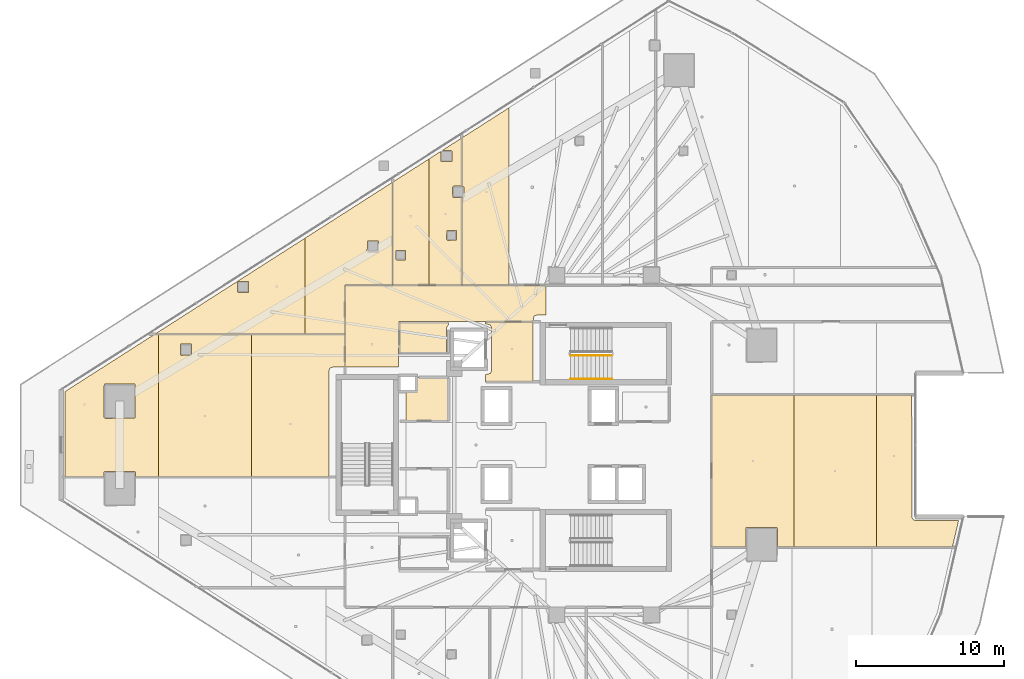
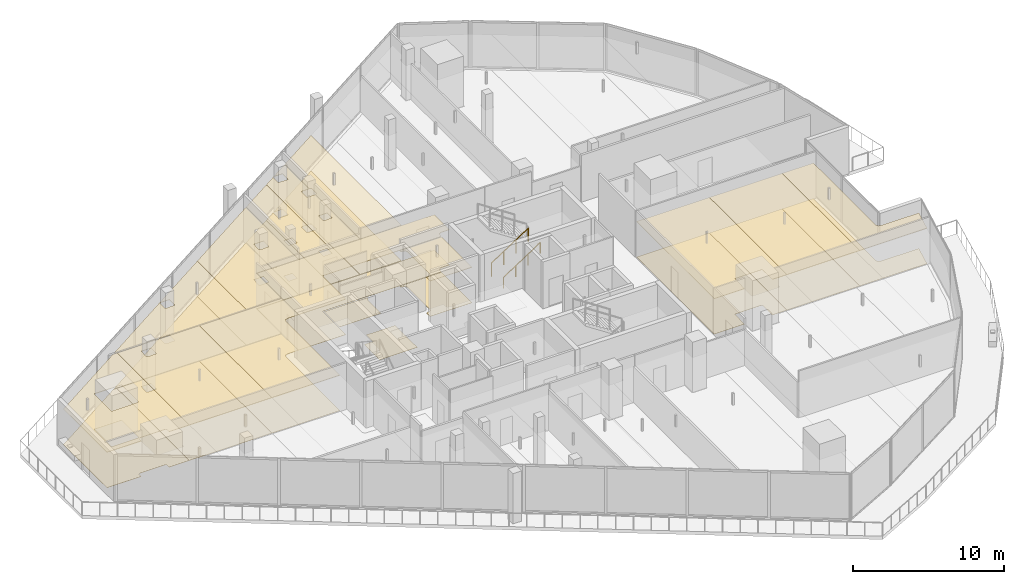
# One storey, part 36 of 38: 28 coverings, 2 railings.
"""IFC4 building model written with IfcOpenShell, lengths in metres."""

from ifc_helpers import new_model, si_unit, direction, frame, origin, origin_2d, place, context, subcontext, project, spatial, polyline, circle, outline, extrude, material, layer, layer_set, type_object, element, save


model = new_model("IFC4")

# Units and contexts
model_context = context("Model", 3, precision=1e-05, world=origin(), true_north=direction((0.0, 1.0)))
body_context = subcontext(model_context, "Body", "Model", "MODEL_VIEW")
ifc_project = project(units=[si_unit("LENGTHUNIT", "METRE"), si_unit("AREAUNIT", "SQUARE_METRE"), si_unit("VOLUMEUNIT", "CUBIC_METRE"), si_unit("PLANEANGLEUNIT", "RADIAN"), si_unit("MASSUNIT", "GRAM", prefix="KILO")], contexts=[model_context])

# Site, building, storey
site_placement = place(None, origin())
site = spatial("IfcSite", under=ifc_project, at=site_placement, CompositionType="ELEMENT")
building_placement = place(site_placement, origin())
building = spatial("IfcBuilding", under=site, at=building_placement, Name="Qorvath Tower", CompositionType="ELEMENT")
storey_placement = place(building_placement, frame((0.0, 0.0, 146.25)))
storey = spatial("IfcBuildingStorey", under=building, at=storey_placement, Name="L33", CompositionType="ELEMENT", Elevation=146.25)

# Coverings
ifc_material_1 = material(Name="Acoustic mineral fibre ceiling tile", Category="gypsum")
ifc_layer_1 = layer(ifc_material_1, 0.030029296875)
ifc_layer_set_1 = layer_set([ifc_layer_1], Name="COV-CEIL")
covering_type_1 = type_object("IfcCoveringType", Name="COV-CEIL", PredefinedType="CEILING", material=ifc_layer_set_1)
covering_1_placement = place(storey_placement, frame((0.0, 0.0, 2.85009765625)))
element("IfcCovering", 1, at=covering_1_placement, inside=storey, type_object=covering_type_1, Name="L33 Suspended Acoustic Ceiling 001", PredefinedType="CEILING", context=body_context, shape_type="SweptSolid", body=[
    extrude(outline(polyline([(-25.18994140625, 4.2548828125), (-25.18994140625, 8.294921875), (-28.375, 8.294921875), (-28.375, 8.159912109375), (-28.063232421875, 8.086669921875), (-27.989990234375, 7.909912109375), (-27.989990234375, 4.989990234375), (-28.063232421875, 4.813232421875), (-28.375, 4.739990234375), (-28.375, 4.2548828125), (-25.18994140625, 4.2548828125)])), origin(), (0.0, 0.0, 1.0), 0.030029296875),
])
covering_2_placement = place(storey_placement, frame((0.0, 0.0, 2.85009765625)))
element("IfcCovering", 2, at=covering_2_placement, inside=storey, type_object=covering_type_1, Name="L33 Suspended Acoustic Ceiling 009", PredefinedType="CEILING", context=body_context, shape_type="SweptSolid", body=[
    extrude(outline(polyline([(-24.32080078125, 8.75), (-24.32080078125, 10.7451171875), (-37.844970703125, 10.7451171875), (-37.844970703125, 5.239990234375), (-34.2509765625, 5.239990234375), (-34.219970703125, 8.324951171875), (-25.18994140625, 8.324951171875), (-25.11669921875, 8.6767578125), (-24.93994140625, 8.75), (-24.32080078125, 8.75)])), origin(), (0.0, 0.0, 1.0), 0.030029296875),
])
covering_3_placement = place(storey_placement, frame((0.0, 0.0, 2.85009765625)))
element("IfcCovering", 3, at=covering_3_placement, inside=storey, type_object=covering_type_1, Name="L33 Suspended Acoustic Ceiling 011", PredefinedType="CEILING", context=body_context, shape_type="SweptSolid", body=[
    extrude(outline(polyline([(-32.213134765625, 10.762939453125), (-32.213134765625, 19.26708984375), (-34.64501953125, 17.715087890625), (-34.64501953125, 10.762939453125), (-32.213134765625, 10.762939453125)]), holes=[polyline([(-34.439208984375, 12.517578125), (-34.421630859375, 13.10986328125), (-33.786865234375, 13.10986328125), (-33.786865234375, 12.47509765625), (-34.379150390625, 12.45751953125), (-34.439208984375, 12.517578125)])]), origin(), (0.0, 0.0, 1.0), 0.030029296875),
])
covering_4_placement = place(storey_placement, frame((0.0, 0.0, 2.85009765625)))
element("IfcCovering", 4, at=covering_4_placement, inside=storey, type_object=covering_type_1, Name="L33 Suspended Acoustic Ceiling 012", PredefinedType="CEILING", context=body_context, shape_type="SweptSolid", body=[
    extrude(outline(polyline([(-31.401123046875, 19.785400390625), (-32.213134765625, 19.26708984375), (-32.213134765625, 10.762939453125), (-29.98388671875, 10.762939453125), (-29.98388671875, 16.674560546875), (-30.59228515625, 16.692138671875), (-30.60986328125, 17.384521484375), (-30.5498046875, 17.444580078125), (-29.98388671875, 17.444580078125), (-29.98388671875, 20.694091796875), (-31.31201171875, 19.845458984375), (-30.648681640625, 19.827880859375), (-30.648681640625, 19.093017578125), (-31.383544921875, 19.093017578125), (-31.401123046875, 19.785400390625)]), holes=[polyline([(-31.01220703125, 13.849365234375), (-30.99462890625, 14.441650390625), (-30.35986328125, 14.441650390625), (-30.35986328125, 13.806884765625), (-30.9521484375, 13.789306640625), (-31.01220703125, 13.849365234375)])]), origin(), (0.0, 0.0, 1.0), 0.030029296875),
])
covering_5_placement = place(storey_placement, frame((0.0, 0.0, 2.85009765625)))
element("IfcCovering", 5, at=covering_5_placement, inside=storey, type_object=covering_type_1, Name="L33 Suspended Acoustic Ceiling 013", PredefinedType="CEILING", context=body_context, shape_type="SweptSolid", body=[
    extrude(outline(polyline([(-26.81201171875, 10.762939453125), (-26.81201171875, 22.72314453125), (-29.9658203125, 20.705810546875), (-29.9658203125, 17.444580078125), (-29.83984375, 17.384521484375), (-29.83984375, 16.734619140625), (-29.9658203125, 16.674560546875), (-29.9658203125, 10.762939453125), (-26.81201171875, 10.762939453125)])), origin(), (0.0, 0.0, 1.0), 0.030029296875),
])
covering_6_placement = place(storey_placement, frame((0.0, 0.0, 2.85009765625)))
element("IfcCovering", 6, at=covering_6_placement, inside=storey, type_object=covering_type_1, Name="L33 Suspended Acoustic Ceiling 032", PredefinedType="CEILING", context=body_context, shape_type="SweptSolid", body=[
    extrude(outline(polyline([(-7.589111328125, -6.8837890625), (-7.589111328125, 3.3779296875), (-13.136962890625, 3.3779296875), (-13.136962890625, -6.8837890625), (-10.830322265625, -6.8837890625), (-10.812744140625, -5.578857421875), (-8.770263671875, -5.561279296875), (-8.710205078125, -5.621337890625), (-8.710205078125, -6.8837890625), (-7.589111328125, -6.8837890625)])), origin(), (0.0, 0.0, 1.0), 0.030029296875),
])
covering_7_placement = place(storey_placement, frame((0.0, 0.0, 2.85009765625)))
element("IfcCovering", 7, at=covering_7_placement, inside=storey, type_object=covering_type_1, Name="L33 Suspended Acoustic Ceiling 033", PredefinedType="CEILING", context=body_context, shape_type="SweptSolid", body=[
    extrude(outline(polyline([(-2.04150390625, -6.8837890625), (-2.04150390625, 3.3779296875), (-7.589111328125, 3.3779296875), (-7.589111328125, -6.8837890625), (-2.04150390625, -6.8837890625)])), origin(), (0.0, 0.0, 1.0), 0.030029296875),
])
covering_8_placement = place(storey_placement, frame((0.0, 0.0, 2.85009765625)))
element("IfcCovering", 8, at=covering_8_placement, inside=storey, type_object=covering_type_1, Name="L33 Suspended Acoustic Ceiling 034", PredefinedType="CEILING", context=body_context, shape_type="SweptSolid", body=[
    extrude(outline(polyline([(0.438720703125, -5.0341796875), (0.351318359375, -4.88720703125), (0.3466796875, 3.3779296875), (-2.04150390625, 3.3779296875), (-2.04150390625, -6.8837890625), (3.092041015625, -6.8837890625), (3.50634765625, -5.093505859375), (0.5771484375, -5.09228515625), (0.438720703125, -5.0341796875)])), origin(), (0.0, 0.0, 1.0), 0.030029296875),
])
covering_9_placement = place(storey_placement, frame((0.0, 0.0, 2.85009765625)))
element("IfcCovering", 9, at=covering_9_placement, inside=storey, type_object=covering_type_1, Name="L33 Suspended Acoustic Ceiling 043", PredefinedType="CEILING", context=body_context, shape_type="SweptSolid", body=[
    extrude(outline(polyline([(-50.441162109375, -2.15087890625), (-50.441162109375, 7.45458984375), (-50.698974609375, 7.45458984375), (-56.72998046875, 3.599853515625), (-56.72998046875, -2.15087890625), (-54.109375, -2.15087890625), (-54.109375, -1.850830078125), (-54.04931640625, -1.790771484375), (-52.04931640625, -1.790771484375), (-51.989501953125, -1.850830078125), (-51.989501953125, -2.15087890625), (-50.441162109375, -2.15087890625)]), holes=[polyline([(-54.109375, 1.850830078125), (-54.091796875, 4.09326171875), (-52.007080078125, 4.09326171875), (-52.007080078125, 1.808349609375), (-54.04931640625, 1.790771484375), (-54.109375, 1.850830078125)])]), origin(), (0.0, 0.0, 1.0), 0.030029296875),
])
covering_10_placement = place(storey_placement, frame((0.0, 0.0, 2.85009765625)))
element("IfcCovering", 10, at=covering_10_placement, inside=storey, type_object=covering_type_1, Name="L33 Suspended Acoustic Ceiling 044", PredefinedType="CEILING", context=body_context, shape_type="SweptSolid", body=[
    extrude(outline(polyline([(-44.152099609375, -2.15087890625), (-44.152099609375, 7.45458984375), (-50.441162109375, 7.45458984375), (-50.441162109375, -2.15087890625), (-44.152099609375, -2.15087890625)]), holes=[polyline([(-48.96337890625, 6.099609375), (-48.94580078125, 6.7919921875), (-48.2109375, 6.7919921875), (-48.2109375, 6.05712890625), (-48.9033203125, 6.03955078125), (-48.96337890625, 6.099609375)])]), origin(), (0.0, 0.0, 1.0), 0.030029296875),
])
covering_11_placement = place(storey_placement, frame((0.0, 0.0, 2.85009765625)))
element("IfcCovering", 11, at=covering_11_placement, inside=storey, type_object=covering_type_1, Name="L33 Suspended Acoustic Ceiling 045", PredefinedType="CEILING", context=body_context, shape_type="SweptSolid", body=[
    extrude(outline(polyline([(-37.863037109375, 5.239990234375), (-37.863037109375, 7.45458984375), (-44.152099609375, 7.45458984375), (-44.152099609375, -2.15087890625), (-38.949951171875, -2.15087890625), (-38.949951171875, 4.989990234375), (-38.876708984375, 5.166748046875), (-38.699951171875, 5.239990234375), (-37.863037109375, 5.239990234375)])), origin(), (0.0, 0.0, 1.0), 0.030029296875),
])
covering_12_placement = place(storey_placement, frame((0.0, 0.0, 2.85009765625)))
element("IfcCovering", 12, at=covering_12_placement, inside=storey, type_object=covering_type_1, Name="L33 Suspended Acoustic Ceiling 046", PredefinedType="CEILING", context=body_context, shape_type="SweptSolid", body=[
    extrude(outline(polyline([(-40.552734375, 7.47265625), (-40.552734375, 13.939208984375), (-50.6708984375, 7.47265625), (-40.552734375, 7.47265625)]), holes=[polyline([(-45.121337890625, 10.327392578125), (-45.103759765625, 11.019775390625), (-44.368896484375, 11.019775390625), (-44.368896484375, 10.284912109375), (-45.061279296875, 10.267333984375), (-45.121337890625, 10.327392578125)])]), origin(), (0.0, 0.0, 1.0), 0.030029296875),
])
covering_13_placement = place(storey_placement, frame((0.0, 0.0, 2.85009765625)))
element("IfcCovering", 13, at=covering_13_placement, inside=storey, type_object=covering_type_1, Name="L33 Suspended Acoustic Ceiling 047", PredefinedType="CEILING", context=body_context, shape_type="SweptSolid", body=[
    extrude(outline(polyline([(-37.85791015625, 10.762939453125), (-34.6630859375, 10.762939453125), (-34.6630859375, 17.70361328125), (-40.552734375, 13.939208984375), (-40.552734375, 7.47265625), (-37.863037109375, 7.47265625), (-37.85791015625, 10.762939453125)]), holes=[polyline([(-36.36572265625, 13.055908203125), (-36.34814453125, 13.748291015625), (-35.61328125, 13.748291015625), (-35.61328125, 13.013427734375), (-36.3056640625, 12.995849609375), (-36.36572265625, 13.055908203125)])]), origin(), (0.0, 0.0, 1.0), 0.030029296875),
])
ifc_material_2 = material(Name="Low-VOC modular carpet tile", Category="textile")
ifc_layer_2 = layer(ifc_material_2, 0.014892578125)
ifc_layer_set_2 = layer_set([ifc_layer_2], Name="COV-FLOOR-CPT")
covering_type_2 = type_object("IfcCoveringType", Name="COV-FLOOR-CPT", PredefinedType="FLOORING", material=ifc_layer_set_2)
covering_14_placement = place(storey_placement, origin())
element("IfcCovering", 14, at=covering_14_placement, inside=storey, type_object=covering_type_2, Name="L33 Floor Finish 005", PredefinedType="FLOORING", context=body_context, shape_type="SweptSolid", body=[
    extrude(outline(polyline([(-33.760009765625, 3.636962890625), (-33.760009765625, 1.60498046875), (-30.885009765625, 1.60498046875), (-30.885009765625, 4.534912109375), (-33.0869140625, 4.534912109375), (-33.092041015625, 3.636962890625), (-33.760009765625, 3.636962890625)])), origin(), (0.0, 0.0, 1.0), 0.014892578125),
])
covering_15_placement = place(storey_placement, origin())
element("IfcCovering", 15, at=covering_15_placement, inside=storey, type_object=covering_type_2, Name="L33 Floor Finish 011", PredefinedType="FLOORING", context=body_context, shape_type="SweptSolid", body=[
    extrude(outline(polyline([(-32.213134765625, 10.762939453125), (-32.213134765625, 19.26708984375), (-34.64501953125, 17.715087890625), (-34.64501953125, 10.762939453125), (-32.213134765625, 10.762939453125)]), holes=[polyline([(-34.439208984375, 12.517578125), (-34.421630859375, 13.10986328125), (-33.786865234375, 13.10986328125), (-33.786865234375, 12.47509765625), (-34.379150390625, 12.45751953125), (-34.439208984375, 12.517578125)])]), origin(), (0.0, 0.0, 1.0), 0.014892578125),
])
covering_16_placement = place(storey_placement, origin())
element("IfcCovering", 16, at=covering_16_placement, inside=storey, type_object=covering_type_2, Name="L33 Floor Finish 012", PredefinedType="FLOORING", context=body_context, shape_type="SweptSolid", body=[
    extrude(outline(polyline([(-31.401123046875, 19.785400390625), (-32.213134765625, 19.26708984375), (-32.213134765625, 10.762939453125), (-29.98388671875, 10.762939453125), (-29.98388671875, 16.674560546875), (-30.59228515625, 16.692138671875), (-30.60986328125, 17.384521484375), (-30.5498046875, 17.444580078125), (-29.98388671875, 17.444580078125), (-29.98388671875, 20.694091796875), (-31.31201171875, 19.845458984375), (-30.648681640625, 19.827880859375), (-30.648681640625, 19.093017578125), (-31.383544921875, 19.093017578125), (-31.401123046875, 19.785400390625)]), holes=[polyline([(-31.01220703125, 13.849365234375), (-30.99462890625, 14.441650390625), (-30.35986328125, 14.441650390625), (-30.35986328125, 13.806884765625), (-30.9521484375, 13.789306640625), (-31.01220703125, 13.849365234375)])]), origin(), (0.0, 0.0, 1.0), 0.014892578125),
])
covering_17_placement = place(storey_placement, origin())
element("IfcCovering", 17, at=covering_17_placement, inside=storey, type_object=covering_type_2, Name="L33 Floor Finish 013", PredefinedType="FLOORING", context=body_context, shape_type="SweptSolid", body=[
    extrude(outline(polyline([(-26.81201171875, 10.762939453125), (-26.81201171875, 22.72314453125), (-29.9658203125, 20.705810546875), (-29.9658203125, 17.444580078125), (-29.83984375, 17.384521484375), (-29.83984375, 16.734619140625), (-29.9658203125, 16.674560546875), (-29.9658203125, 10.762939453125), (-26.81201171875, 10.762939453125)])), origin(), (0.0, 0.0, 1.0), 0.014892578125),
])
covering_18_placement = place(storey_placement, origin())
element("IfcCovering", 18, at=covering_18_placement, inside=storey, type_object=covering_type_2, Name="L33 Floor Finish 032", PredefinedType="FLOORING", context=body_context, shape_type="SweptSolid", body=[
    extrude(outline(polyline([(-7.589111328125, -6.8837890625), (-7.589111328125, 3.3779296875), (-13.136962890625, 3.3779296875), (-13.136962890625, -6.8837890625), (-10.830322265625, -6.8837890625), (-10.812744140625, -5.578857421875), (-8.770263671875, -5.561279296875), (-8.710205078125, -5.621337890625), (-8.710205078125, -6.8837890625), (-7.589111328125, -6.8837890625)])), origin(), (0.0, 0.0, 1.0), 0.014892578125),
])
covering_19_placement = place(storey_placement, origin())
element("IfcCovering", 19, at=covering_19_placement, inside=storey, type_object=covering_type_2, Name="L33 Floor Finish 033", PredefinedType="FLOORING", context=body_context, shape_type="SweptSolid", body=[
    extrude(outline(polyline([(-2.04150390625, -6.8837890625), (-2.04150390625, 3.3779296875), (-7.589111328125, 3.3779296875), (-7.589111328125, -6.8837890625), (-2.04150390625, -6.8837890625)])), origin(), (0.0, 0.0, 1.0), 0.014892578125),
])
covering_20_placement = place(storey_placement, origin())
element("IfcCovering", 20, at=covering_20_placement, inside=storey, type_object=covering_type_2, Name="L33 Floor Finish 034", PredefinedType="FLOORING", context=body_context, shape_type="SweptSolid", body=[
    extrude(outline(polyline([(0.438720703125, -5.0341796875), (0.351318359375, -4.88720703125), (0.3466796875, 3.3779296875), (-2.04150390625, 3.3779296875), (-2.04150390625, -6.8837890625), (3.092041015625, -6.8837890625), (3.50634765625, -5.093505859375), (0.5771484375, -5.09228515625), (0.438720703125, -5.0341796875)])), origin(), (0.0, 0.0, 1.0), 0.014892578125),
])
covering_21_placement = place(storey_placement, origin())
element("IfcCovering", 21, at=covering_21_placement, inside=storey, type_object=covering_type_2, Name="L33 Floor Finish 043", PredefinedType="FLOORING", context=body_context, shape_type="SweptSolid", body=[
    extrude(outline(polyline([(-50.441162109375, -2.15087890625), (-50.441162109375, 7.45458984375), (-50.698974609375, 7.45458984375), (-56.72998046875, 3.599853515625), (-56.72998046875, -2.15087890625), (-54.109375, -2.15087890625), (-54.109375, -1.850830078125), (-54.04931640625, -1.790771484375), (-52.04931640625, -1.790771484375), (-51.989501953125, -1.850830078125), (-51.989501953125, -2.15087890625), (-50.441162109375, -2.15087890625)]), holes=[polyline([(-54.109375, 1.850830078125), (-54.091796875, 4.09326171875), (-52.007080078125, 4.09326171875), (-52.007080078125, 1.808349609375), (-54.04931640625, 1.790771484375), (-54.109375, 1.850830078125)])]), origin(), (0.0, 0.0, 1.0), 0.014892578125),
])
covering_22_placement = place(storey_placement, origin())
element("IfcCovering", 22, at=covering_22_placement, inside=storey, type_object=covering_type_2, Name="L33 Floor Finish 044", PredefinedType="FLOORING", context=body_context, shape_type="SweptSolid", body=[
    extrude(outline(polyline([(-44.152099609375, -2.15087890625), (-44.152099609375, 7.45458984375), (-50.441162109375, 7.45458984375), (-50.441162109375, -2.15087890625), (-44.152099609375, -2.15087890625)]), holes=[polyline([(-48.96337890625, 6.099609375), (-48.94580078125, 6.7919921875), (-48.2109375, 6.7919921875), (-48.2109375, 6.05712890625), (-48.9033203125, 6.03955078125), (-48.96337890625, 6.099609375)])]), origin(), (0.0, 0.0, 1.0), 0.014892578125),
])
covering_23_placement = place(storey_placement, origin())
element("IfcCovering", 23, at=covering_23_placement, inside=storey, type_object=covering_type_2, Name="L33 Floor Finish 045", PredefinedType="FLOORING", context=body_context, shape_type="SweptSolid", body=[
    extrude(outline(polyline([(-37.863037109375, 5.239990234375), (-37.863037109375, 7.45458984375), (-44.152099609375, 7.45458984375), (-44.152099609375, -2.15087890625), (-38.949951171875, -2.15087890625), (-38.949951171875, 4.989990234375), (-38.876708984375, 5.166748046875), (-38.699951171875, 5.239990234375), (-37.863037109375, 5.239990234375)])), origin(), (0.0, 0.0, 1.0), 0.014892578125),
])
covering_24_placement = place(storey_placement, origin())
element("IfcCovering", 24, at=covering_24_placement, inside=storey, type_object=covering_type_2, Name="L33 Floor Finish 046", PredefinedType="FLOORING", context=body_context, shape_type="SweptSolid", body=[
    extrude(outline(polyline([(-40.552734375, 7.47265625), (-40.552734375, 13.939208984375), (-50.6708984375, 7.47265625), (-40.552734375, 7.47265625)]), holes=[polyline([(-45.121337890625, 10.327392578125), (-45.103759765625, 11.019775390625), (-44.368896484375, 11.019775390625), (-44.368896484375, 10.284912109375), (-45.061279296875, 10.267333984375), (-45.121337890625, 10.327392578125)])]), origin(), (0.0, 0.0, 1.0), 0.014892578125),
])
covering_25_placement = place(storey_placement, origin())
element("IfcCovering", 25, at=covering_25_placement, inside=storey, type_object=covering_type_2, Name="L33 Floor Finish 047", PredefinedType="FLOORING", context=body_context, shape_type="SweptSolid", body=[
    extrude(outline(polyline([(-37.85791015625, 10.762939453125), (-34.6630859375, 10.762939453125), (-34.6630859375, 17.70361328125), (-40.552734375, 13.939208984375), (-40.552734375, 7.47265625), (-37.863037109375, 7.47265625), (-37.85791015625, 10.762939453125)]), holes=[polyline([(-36.36572265625, 13.055908203125), (-36.34814453125, 13.748291015625), (-35.61328125, 13.748291015625), (-35.61328125, 13.013427734375), (-36.3056640625, 12.995849609375), (-36.36572265625, 13.055908203125)])]), origin(), (0.0, 0.0, 1.0), 0.014892578125),
])
ifc_material_3 = material(Name="Polished epoxy terrazzo flooring", Category="concrete")
ifc_layer_3 = layer(ifc_material_3, 0.02001953125)
ifc_layer_set_3 = layer_set([ifc_layer_3], Name="COV-FLOOR-TRZ")
covering_type_3 = type_object("IfcCoveringType", Name="COV-FLOOR-TRZ", PredefinedType="FLOORING", material=ifc_layer_set_3)
covering_26_placement = place(storey_placement, origin())
element("IfcCovering", 26, at=covering_26_placement, inside=storey, type_object=covering_type_3, Name="L33 Floor Finish 001", PredefinedType="FLOORING", context=body_context, shape_type="SweptSolid", body=[
    extrude(outline(polyline([(-25.18994140625, 4.2548828125), (-25.18994140625, 8.294921875), (-28.375, 8.294921875), (-28.375, 8.159912109375), (-28.063232421875, 8.086669921875), (-27.989990234375, 7.909912109375), (-27.989990234375, 4.989990234375), (-28.063232421875, 4.813232421875), (-28.375, 4.739990234375), (-28.375, 4.2548828125), (-25.18994140625, 4.2548828125)])), origin(), (0.0, 0.0, 1.0), 0.014892578125),
])
covering_27_placement = place(storey_placement, origin())
element("IfcCovering", 27, at=covering_27_placement, inside=storey, type_object=covering_type_3, Name="L33 Floor Finish 004", PredefinedType="FLOORING", context=body_context, shape_type="SweptSolid", body=[
    extrude(outline(polyline([(-31.010009765625, 6.205078125), (-31.010009765625, 7.909912109375), (-30.885009765625, 8.108154296875), (-30.885009765625, 8.2451171875), (-34.175048828125, 8.2451171875), (-34.175048828125, 6.205078125), (-31.010009765625, 6.205078125)])), origin(), (0.0, 0.0, 1.0), 0.014892578125),
])
covering_28_placement = place(storey_placement, origin())
element("IfcCovering", 28, at=covering_28_placement, inside=storey, type_object=covering_type_3, Name="L33 Floor Finish 009", PredefinedType="FLOORING", context=body_context, shape_type="SweptSolid", body=[
    extrude(outline(polyline([(-24.32080078125, 8.75), (-24.32080078125, 10.7451171875), (-37.844970703125, 10.7451171875), (-37.844970703125, 5.239990234375), (-34.2509765625, 5.239990234375), (-34.219970703125, 8.324951171875), (-25.18994140625, 8.324951171875), (-25.11669921875, 8.6767578125), (-24.93994140625, 8.75), (-24.32080078125, 8.75)])), origin(), (0.0, 0.0, 1.0), 0.014892578125),
])

# Railings
ifc_material_4 = material(Name="Painted galvanised steel", Category="steel")
railing_type_1 = type_object("IfcRailingType", Name="RL-STR-GRD", PredefinedType="GUARDRAIL", material=ifc_material_4)
railing_1_placement = place(storey_placement, frame((-22.669921875, 6.030029296875, 0.18408203125)))
element("IfcRailing", 29, at=railing_1_placement, inside=storey, type_object=railing_type_1, Name="L33 TS1 stair guard 1", PredefinedType="GUARDRAIL", context=body_context, shape_type="SweptSolid", body=[
    extrude(circle(Radius=0.02392578125, at=origin_2d()), frame((0.0, 0.0, 1.076171875), z_axis=(0.835575518608, 0.0, 0.549375602573), x_axis=(0.0, 1.0, 0.0)), (0.0, 0.0, 1.0), 3.350830078125),
    extrude(circle(Radius=0.02099609375, at=origin_2d()), origin(), (0.0, 0.0, 1.0), 1.052001953125),
    extrude(circle(Radius=0.02099609375, at=origin_2d()), frame((0.933349609375, 0.0, 0.613525390625)), (0.0, 0.0, 1.0), 1.052001953125),
    extrude(circle(Radius=0.02099609375, at=origin_2d()), frame((1.866455078125, 0.0, 1.227294921875)), (0.0, 0.0, 1.0), 1.052001953125),
    extrude(circle(Radius=0.02099609375, at=origin_2d()), frame((2.7998046875, 0.0, 1.8408203125)), (0.0, 0.0, 1.0), 1.052001953125),
])
ifc_material_5 = material(Name="Brushed stainless steel AISI 304", Category="steel")
railing_type_2 = type_object("IfcRailingType", Name="RL-STR-HND", PredefinedType="HANDRAIL", material=ifc_material_5)
railing_2_placement = place(storey_placement, frame((-22.669921875, 4.449951171875, 0.18408203125)))
element("IfcRailing", 30, at=railing_2_placement, inside=storey, type_object=railing_type_2, Name="L33 TS1 stair handrail 1", PredefinedType="HANDRAIL", context=body_context, shape_type="SweptSolid", body=[
    extrude(circle(Radius=0.02392578125, at=origin_2d()), frame((0.0, 0.0, 0.8759765625), z_axis=(0.835575518608, 0.0, 0.549375602573), x_axis=(0.0, 1.0, 0.0)), (0.0, 0.0, 1.0), 3.350830078125),
    extrude(circle(Radius=0.02099609375, at=origin_2d()), origin(), (0.0, 0.0, 1.0), 0.851806640625),
    extrude(circle(Radius=0.02099609375, at=origin_2d()), frame((0.933349609375, 0.0, 0.613525390625)), (0.0, 0.0, 1.0), 0.851806640625),
    extrude(circle(Radius=0.02099609375, at=origin_2d()), frame((1.866455078125, 0.0, 1.227294921875)), (0.0, 0.0, 1.0), 0.851806640625),
    extrude(circle(Radius=0.02099609375, at=origin_2d()), frame((2.7998046875, 0.0, 1.8408203125)), (0.0, 0.0, 1.0), 0.851806640625),
])

save(model, "model.ifc")
